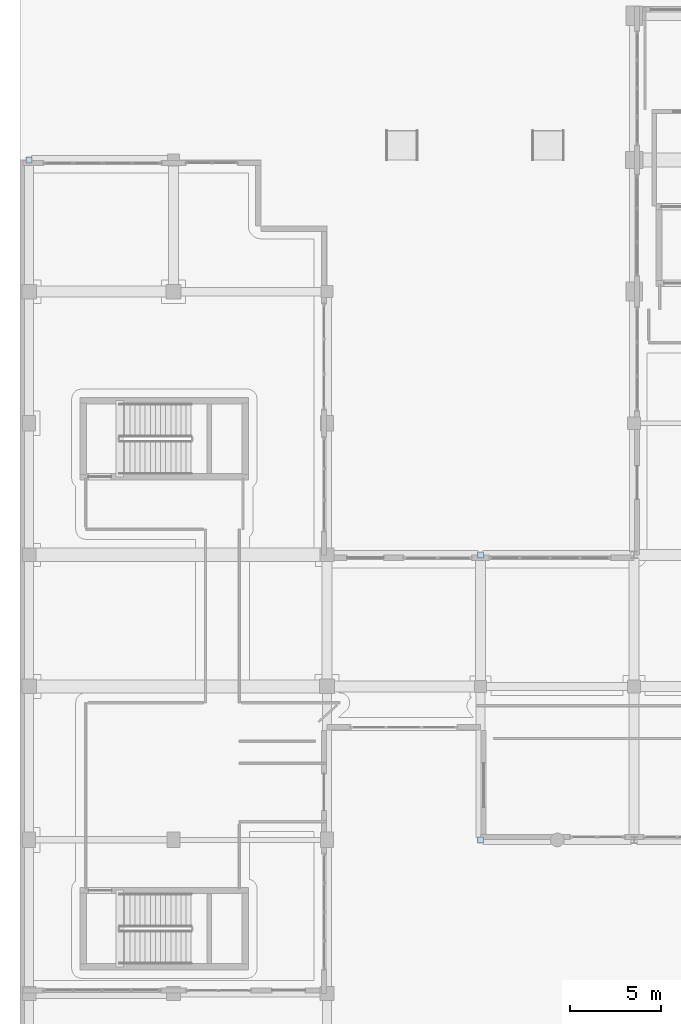
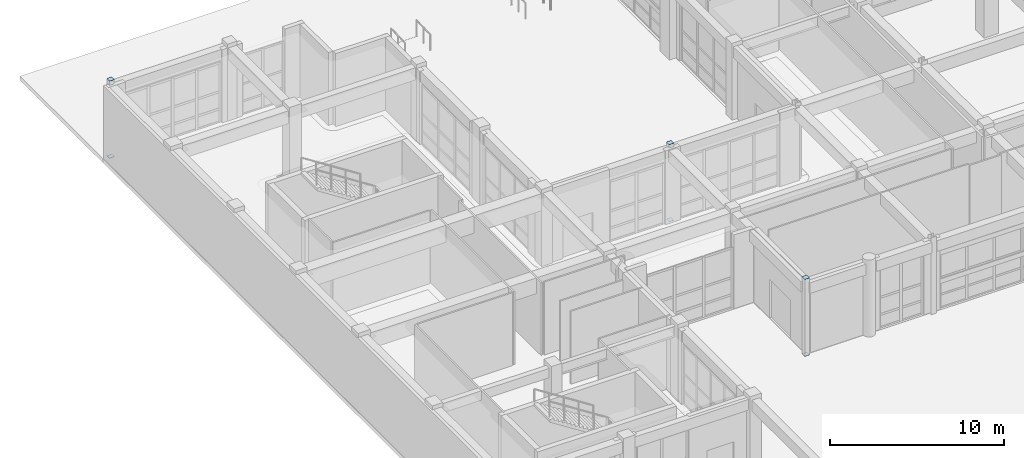
# One storey, part 125 of 148: 6 plates.
"""IFC4 building model written with IfcOpenShell, lengths in metres."""

from ifc_helpers import new_model, si_unit, direction, frame, origin, origin_2d, place, context, subcontext, project, spatial, rectangle, extrude, material, layer, layer_set, type_object, element, save


model = new_model("IFC4")

# Units and contexts
model_context = context("Model", 3, precision=1e-05, world=origin(), true_north=direction((0.0, 1.0)))
body_context = subcontext(model_context, "Body", "Model", "MODEL_VIEW")
ifc_project = project(units=[si_unit("LENGTHUNIT", "METRE"), si_unit("AREAUNIT", "SQUARE_METRE"), si_unit("VOLUMEUNIT", "CUBIC_METRE"), si_unit("PLANEANGLEUNIT", "RADIAN"), si_unit("MASSUNIT", "GRAM", prefix="KILO")], contexts=[model_context])

# Site, building, storey
site_placement = place(None, origin())
site = spatial("IfcSite", under=ifc_project, at=site_placement, CompositionType="ELEMENT")
building_placement = place(site_placement, origin())
building = spatial("IfcBuilding", under=site, at=building_placement, Name="Quendrovan Civic Courthouse", CompositionType="ELEMENT")
storey_placement = place(building_placement, origin())
storey = spatial("IfcBuildingStorey", under=building, at=storey_placement, Name="L01", CompositionType="ELEMENT", Elevation=0.0)

# Plates
ifc_material = material(Name="Steel ASTM A572 Grade 50", Category="steel")
ifc_layer = layer(ifc_material, 0.011962890625, Name="Steel ASTM A572 Grade 50")
ifc_layer_set = layer_set([ifc_layer], Name="Steel ASTM A572 Grade 50")
plate_type = type_object("IfcPlateType", Name="PLT-CAP-12", PredefinedType="SHEET", material=ifc_layer_set)
for number, where, z_axis, x_axis, name in (
    (1, (0.5, 102.0, 5.39990234375), (0.0, 0.0, 1.0), (1.0, 0.0, 0.0), "L01 Hollow Column End Cap Plate COL-L01-1-P-TOP"),
    (2, (0.5, 102.0, -0.01220703125), (0.0, 0.0, 1.0), (1.0, 0.0, 0.0), "L01 Hollow Column End Cap Plate COL-L01-1-P-BOT"),
    (3, (25.199951171875, 64.800048828125, 5.39990234375), (0.0, 0.0, 1.0), (1.0, 0.0, 0.0), "L01 Hollow Column End Cap Plate COL-L01-4-J-TOP"),
    (4, (25.199951171875, 64.800048828125, -0.01220703125), (0.0, 0.0, 1.0), (1.0, 0.0, 0.0), "L01 Hollow Column End Cap Plate COL-L01-4-J-BOT"),
    (5, (25.199951171875, 80.39990234375, 5.39990234375), (0.0, 0.0, 1.0), (1.0, 0.0, 0.0), "L01 Hollow Column End Cap Plate COL-L01-4-L-TOP"),
    (6, (25.199951171875, 80.39990234375, -0.01220703125), (0.0, 0.0, 1.0), (1.0, 0.0, 0.0), "L01 Hollow Column End Cap Plate COL-L01-4-L-BOT"),
):
    element("IfcPlate", number, at=place(storey_placement, frame(where, z_axis=z_axis, x_axis=x_axis)), inside=storey, type_object=plate_type, Name=name, PredefinedType="SHEET", context=body_context, shape_type="SweptSolid", body=[
        extrude(rectangle(XDim=0.320068359375, YDim=0.320068359375, at=origin_2d()), origin(), (0.0, 0.0, 1.0), 0.011962890625),
    ])

save(model, "model.ifc")
